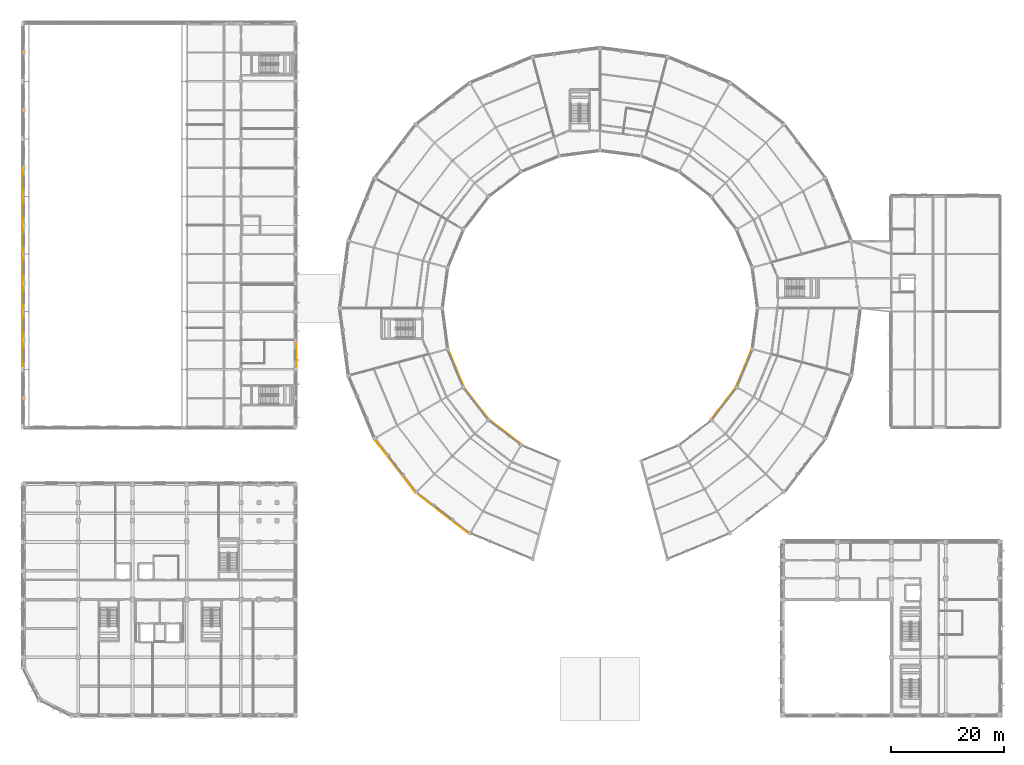
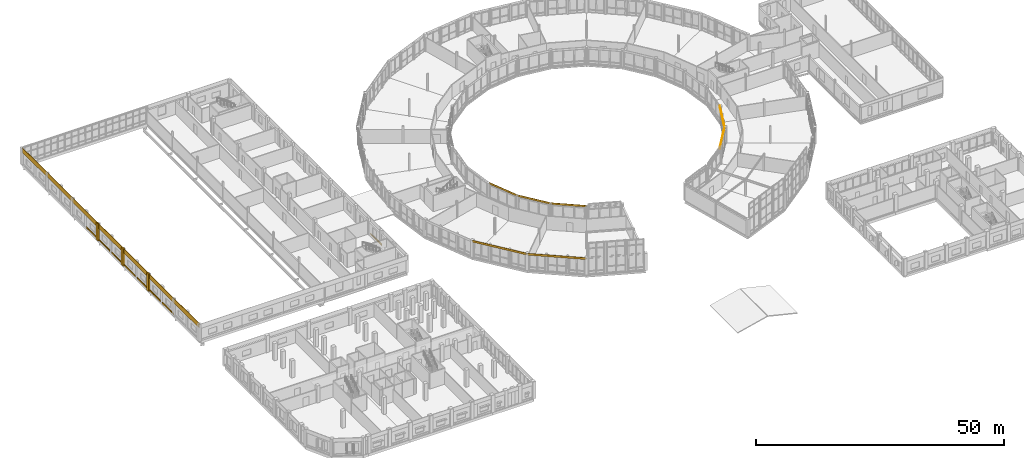
# One storey, part 158 of 170: 19 coverings.
"""IFC4 building model written with IfcOpenShell, lengths in metres."""

from ifc_helpers import new_model, si_unit, direction, frame, origin, origin_2d, place, context, subcontext, project, spatial, rectangle, extrude, material, layer, layer_set, type_object, element, save


model = new_model("IFC4")

# Units and contexts
model_context = context("Model", 3, precision=1e-05, world=origin(), true_north=direction((0.0, 1.0)))
body_context = subcontext(model_context, "Body", "Model", "MODEL_VIEW")
ifc_project = project(units=[si_unit("LENGTHUNIT", "METRE"), si_unit("AREAUNIT", "SQUARE_METRE"), si_unit("VOLUMEUNIT", "CUBIC_METRE"), si_unit("PLANEANGLEUNIT", "RADIAN"), si_unit("MASSUNIT", "GRAM", prefix="KILO")], contexts=[model_context])

# Site, building, storey
site_placement = place(None, origin())
site = spatial("IfcSite", under=ifc_project, at=site_placement, CompositionType="ELEMENT")
building_placement = place(site_placement, origin())
building = spatial("IfcBuilding", under=site, at=building_placement, Name="Vondelvale Polytechnic", CompositionType="ELEMENT")
storey_placement = place(building_placement, frame((0.0, 0.0, 5.39990234375)))
storey = spatial("IfcBuildingStorey", under=building, at=storey_placement, Name="L01", CompositionType="ELEMENT", Elevation=5.39990234375)

# Coverings
ifc_material_1 = material(Name="Amsterdam School iron-spot clinker clay brickwork", Category="masonry")
ifc_layer_1 = layer(ifc_material_1, 0.090087890625)
ifc_layer_set_1 = layer_set([ifc_layer_1], Name="COV-BRICK-RELIEF")
covering_type_1 = type_object("IfcCoveringType", Name="COV-BRICK-RELIEF", PredefinedType="CLADDING", material=ifc_layer_set_1)
covering_1_placement = place(storey_placement, frame((-0.264892578125, 86.699951171875, 3.080078125), z_axis=(0.0, 0.0, 1.0), x_axis=(0.0, 1.0, 0.0)))
element("IfcCovering", 1, at=covering_1_placement, inside=storey, type_object=covering_type_1, Name="L01 exterior masonry spandrel band", PredefinedType="CLADDING", context=body_context, shape_type="SweptSolid", body=[
    extrude(rectangle(XDim=71.39990234375, YDim=0.090087890625, at=origin_2d()), origin(), (0.0, 0.0, 1.0), 1.1201171875),
])
for number, where, z_axis, x_axis, name in (
    (2, (-0.23095703125, 63.65673828125, 0.000244140625), (0.0, 0.0, 1.0), (0.0, 1.0, 0.0), "L01 exterior corbelled masonry relief band"),
    (3, (-0.23095703125, 68.943359375, 0.000244140625), (0.0, 0.0, 1.0), (0.0, 1.0, 0.0), "L01 exterior corbelled masonry relief band"),
    (4, (-0.23095703125, 73.856689453125, 0.000244140625), (0.0, 0.0, 1.0), (0.0, 1.0, 0.0), "L01 exterior corbelled masonry relief band"),
    (5, (-0.23095703125, 79.143310546875, 0.000244140625), (0.0, 0.0, 1.0), (0.0, 1.0, 0.0), "L01 exterior corbelled masonry relief band"),
    (6, (-0.23095703125, 84.056640625, 0.000244140625), (0.0, 0.0, 1.0), (0.0, 1.0, 0.0), "L01 exterior corbelled masonry relief band"),
    (7, (-0.23095703125, 89.34326171875, 0.000244140625), (0.0, 0.0, 1.0), (0.0, 1.0, 0.0), "L01 exterior corbelled masonry relief band"),
    (8, (-0.23095703125, 94.2568359375, 0.000244140625), (0.0, 0.0, 1.0), (0.0, 1.0, 0.0), "L01 exterior corbelled masonry relief band"),
):
    element("IfcCovering", number, at=place(storey_placement, frame(where, z_axis=z_axis, x_axis=x_axis)), inside=storey, type_object=covering_type_1, Name=name, PredefinedType="CLADDING", context=body_context, shape_type="SweptSolid", body=[
        extrude(rectangle(XDim=4.5244140625, YDim=0.090087890625, at=origin_2d()), origin(), (0.0, 0.0, 1.0), 0.3798828125),
    ])
covering_2_placement = place(storey_placement, frame((48.23095703125, 63.72509765625, 0.000244140625), z_axis=(0.0, 0.0, 1.0), x_axis=(0.0, -1.0, 0.0)))
element("IfcCovering", 9, at=covering_2_placement, inside=storey, type_object=covering_type_1, Name="L01 exterior corbelled masonry relief band", PredefinedType="CLADDING", context=body_context, shape_type="SweptSolid", body=[
    extrude(rectangle(XDim=4.387939453125, YDim=0.090087890625, at=origin_2d()), origin(), (0.0, 0.0, 1.0), 0.3798828125),
])
for number, where, z_axis, x_axis, name in (
    (10, (-0.340087890625, 71.39990234375, 0.0), (0.0, 0.0, 1.0), (1.0, 0.0, 0.0), "L01 Workshop giant-order brick buttress pier"),
    (11, (-0.340087890625, 81.60009765625, 0.0), (0.0, 0.0, 1.0), (1.0, 0.0, 0.0), "L01 Workshop giant-order brick buttress pier"),
    (12, (-0.340087890625, 91.800048828125, 0.0), (0.0, 0.0, 1.0), (1.0, 0.0, 0.0), "L01 Workshop giant-order brick buttress pier"),
):
    element("IfcCovering", number, at=place(storey_placement, frame(where, z_axis=z_axis, x_axis=x_axis)), inside=storey, type_object=covering_type_1, Name=name, PredefinedType="CLADDING", context=body_context, shape_type="SweptSolid", body=[
        extrude(rectangle(XDim=0.39990234375, YDim=0.780029296875, at=origin_2d()), origin(), (0.0, 0.0, 1.0), 4.199951171875),
    ])
ifc_material_2 = material(Name="Engineered Tasmanian oak studio and bridge joinery")
ifc_layer_2 = layer(ifc_material_2, 0.06494140625)
ifc_layer_set_2 = layer_set([ifc_layer_2], Name="COV-OAK-SPANDREL")
covering_type_2 = type_object("IfcCoveringType", Name="COV-OAK-SPANDREL", PredefinedType="CLADDING", material=ifc_layer_set_2)
for number, where, z_axis, x_axis, name in (
    (13, (76.5107421875, 61.44189453125, 3.75), (0.0, 0.0, 1.0), (0.382683432365, -0.923879532511, 0.0), "L01 exterior masonry spandrel band"),
    (14, (80.11181640625, 55.20458984375, 3.75), (0.0, 0.0, 1.0), (0.608761429009, -0.793353340291, 0.0), "L01 exterior masonry spandrel band"),
):
    element("IfcCovering", number, at=place(storey_placement, frame(where, z_axis=z_axis, x_axis=x_axis)), inside=storey, type_object=covering_type_2, Name=name, PredefinedType="CLADDING", context=body_context, shape_type="SweptSolid", body=[
        extrude(rectangle(XDim=7.3095703125, YDim=0.06494140625, at=origin_2d()), origin(), (0.0, 0.0, 1.0), 0.449951171875),
    ])
covering_3_placement = place(storey_placement, frame((65.65087890625, 44.1083984375, 3.72021484375), z_axis=(0.0, 0.0, 1.0), x_axis=(0.608761429009, -0.793353340291, 0.0)))
element("IfcCovering", 15, at=covering_3_placement, inside=storey, type_object=covering_type_2, Name="L01 exterior masonry spandrel band", PredefinedType="CLADDING", context=body_context, shape_type="SweptSolid", body=[
    extrude(rectangle(XDim=12.00830078125, YDim=0.06494140625, at=origin_2d()), origin(), (0.0, 0.0, 1.0), 0.47998046875),
])
covering_4_placement = place(storey_placement, frame((85.20458984375, 50.11181640625, 3.75), z_axis=(0.0, 0.0, 1.0), x_axis=(0.793353340291, -0.608761429009, 0.0)))
element("IfcCovering", 16, at=covering_4_placement, inside=storey, type_object=covering_type_2, Name="L01 exterior masonry spandrel band", PredefinedType="CLADDING", context=body_context, shape_type="SweptSolid", body=[
    extrude(rectangle(XDim=7.3095703125, YDim=0.06494140625, at=origin_2d()), origin(), (0.0, 0.0, 1.0), 0.449951171875),
])
covering_5_placement = place(storey_placement, frame((74.1083984375, 35.65087890625, 3.72021484375), z_axis=(0.0, 0.0, 1.0), x_axis=(0.793353340291, -0.608761429009, 0.0)))
element("IfcCovering", 17, at=covering_5_placement, inside=storey, type_object=covering_type_2, Name="L01 exterior masonry spandrel band", PredefinedType="CLADDING", context=body_context, shape_type="SweptSolid", body=[
    extrude(rectangle(XDim=12.00830078125, YDim=0.06494140625, at=origin_2d()), origin(), (0.0, 0.0, 1.0), 0.47998046875),
])
for number, where, z_axis, x_axis, name in (
    (18, (123.88818359375, 55.20458984375, 3.75), (0.0, 0.0, 1.0), (0.608761429009, 0.793353340291, 0.0), "L01 exterior masonry spandrel band"),
    (19, (127.4892578125, 61.44189453125, 3.75), (0.0, 0.0, 1.0), (0.382683432365, 0.923879532511, 0.0), "L01 exterior masonry spandrel band"),
):
    element("IfcCovering", number, at=place(storey_placement, frame(where, z_axis=z_axis, x_axis=x_axis)), inside=storey, type_object=covering_type_2, Name=name, PredefinedType="CLADDING", context=body_context, shape_type="SweptSolid", body=[
        extrude(rectangle(XDim=7.3095703125, YDim=0.06494140625, at=origin_2d()), origin(), (0.0, 0.0, 1.0), 0.449951171875),
    ])

save(model, "model.ifc")
